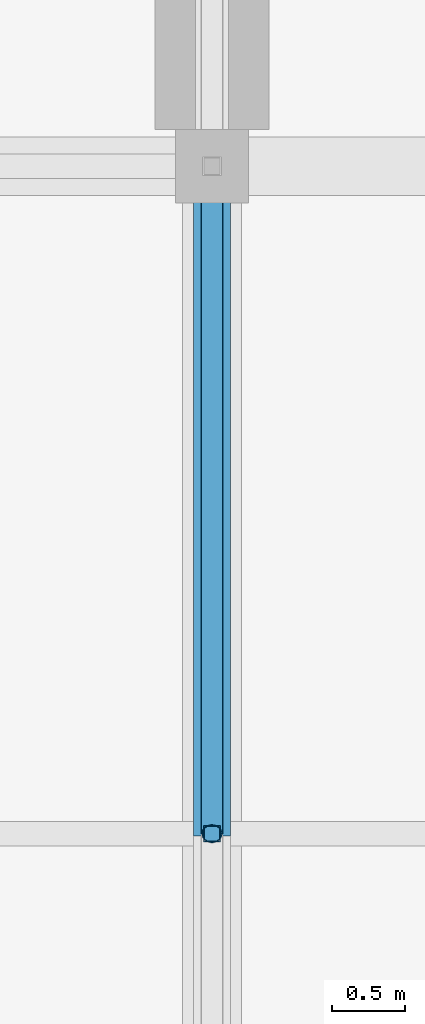
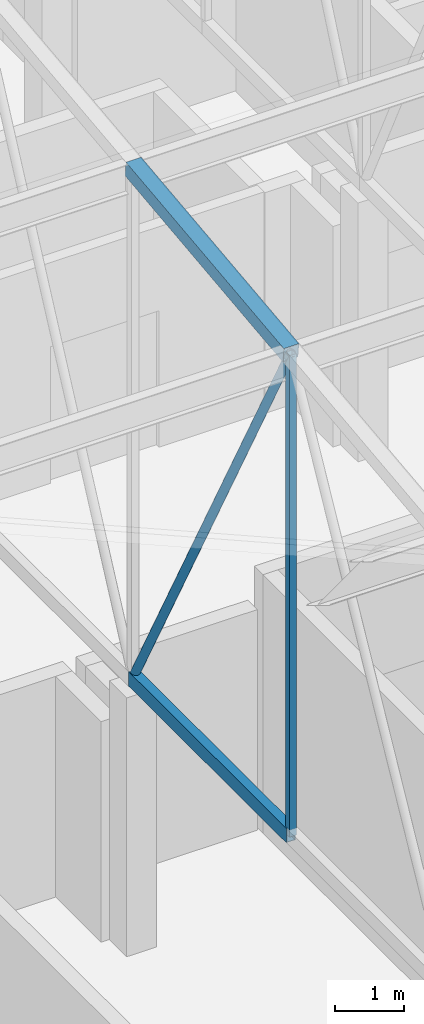
# One storey, part 116 of 500: 4 members.
"""IFC4 building model written with IfcOpenShell, lengths in metres."""

from ifc_helpers import new_model, si_unit, direction, frame, origin, origin_2d, place, context, subcontext, project, spatial, hollow_rectangle, hollow_circle, extrude, material, material_profile, profile_set, type_object, element, save


model = new_model("IFC4")

# Units and contexts
model_context = context("Model", 3, precision=1e-05, world=origin(), true_north=direction((0.0, 1.0)))
body_context = subcontext(model_context, "Body", "Model", "MODEL_VIEW")
ifc_project = project(units=[si_unit("LENGTHUNIT", "METRE"), si_unit("AREAUNIT", "SQUARE_METRE"), si_unit("VOLUMEUNIT", "CUBIC_METRE"), si_unit("PLANEANGLEUNIT", "RADIAN"), si_unit("MASSUNIT", "GRAM", prefix="KILO")], contexts=[model_context])

# Site, building, storey
site_placement = place(None, origin())
site = spatial("IfcSite", under=ifc_project, at=site_placement, CompositionType="ELEMENT")
building_placement = place(site_placement, origin())
building = spatial("IfcBuilding", under=site, at=building_placement, Name="Shirokan Park Arena", CompositionType="ELEMENT")
storey_placement = place(building_placement, frame((0.0, 0.0, 29.1201171875)))
storey = spatial("IfcBuildingStorey", under=building, at=storey_placement, Name="L06", CompositionType="ELEMENT", Elevation=29.1201171875)

# Members
ifc_material = material(Name="Steel ASTM A500 Grade C", Category="steel")
ifc_material_profile_1 = material_profile(ifc_material, hollow_rectangle(XDim=0.152099609375, YDim=0.25390625, WallThickness=0.009521484375, at=origin_2d()), Name="HSS254X152.4X9.5")
ifc_profile_set_1 = profile_set([ifc_material_profile_1], Name="Steel ASTM A500 Grade C")
member_type_1 = type_object("IfcMemberType", Name="Bottom chord HSS254X152.4X9.5", PredefinedType="CHORD", material=ifc_profile_set_1)
member_1_placement = place(storey_placement, frame((109.199951171875, 4.550048828125, 4.677001953125), z_axis=(0.0, 1.0, 0.0), x_axis=(-1.0, 0.0, 0.0)))
element("IfcMember", 1, at=member_1_placement, inside=storey, type_object=member_type_1, Name="Truss T13 bottom chord 4", PredefinedType="CHORD", context=body_context, shape_type="SweptSolid", body=[
    extrude(hollow_rectangle(XDim=0.152099609375, YDim=0.25390625, WallThickness=0.009521484375, at=origin_2d()), origin(), (0.0, 0.0, 1.0), 4.550048828125),
])
ifc_material_profile_2 = material_profile(ifc_material, hollow_rectangle(XDim=0.25390625, YDim=0.25390625, WallThickness=0.009521484375, at=origin_2d()), Name="HSS254X254X9.5")
ifc_profile_set_2 = profile_set([ifc_material_profile_2], Name="Steel ASTM A500 Grade C")
member_type_2 = type_object("IfcMemberType", Name="Top chord HSS254X254X9.5", PredefinedType="CHORD", material=ifc_profile_set_2)
member_2_placement = place(storey_placement, frame((109.199951171875, 4.550048828125, 13.142822265625), z_axis=(0.0, 0.993532328996, 0.113549598152), x_axis=(-1.0, 0.0, 0.0)))
element("IfcMember", 2, at=member_2_placement, inside=storey, type_object=member_type_2, Name="Truss T13 top chord 4", PredefinedType="CHORD", context=body_context, shape_type="SweptSolid", body=[
    extrude(hollow_rectangle(XDim=0.25390625, YDim=0.25390625, WallThickness=0.009521484375, at=origin_2d()), origin(), (0.0, 0.0, 1.0), 4.57958984375),
])
ifc_material_profile_3 = material_profile(ifc_material, hollow_circle(Radius=0.070556640625, WallThickness=0.006591796875, at=origin_2d()), Name="HSS141.3X6.6")
ifc_profile_set_3 = profile_set([ifc_material_profile_3], Name="Steel ASTM A500 Grade C")
member_type_3 = type_object("IfcMemberType", Name="Truss diagonal HSS141.3X6.6", PredefinedType="BRACE", material=ifc_profile_set_3)
member_3_placement = place(storey_placement, frame((109.199951171875, 4.550048828125, 13.142822265625), z_axis=(0.0, 0.473416507165, -0.880838697347), x_axis=(-1.0, 0.0, 0.0)))
element("IfcMember", 3, at=member_3_placement, inside=storey, type_object=member_type_3, Name="Truss T13 diagonal 4", PredefinedType="BRACE", context=body_context, shape_type="SweptSolid", body=[
    extrude(hollow_circle(Radius=0.070556640625, WallThickness=0.006591796875, at=origin_2d()), origin(), (0.0, 0.0, 1.0), 9.611083984375),
])
ifc_material_profile_4 = material_profile(ifc_material, hollow_rectangle(XDim=0.114013671875, YDim=0.114013671875, WallThickness=0.00634765625, at=origin_2d()), Name="HSS114.3X114.3X6.4")
ifc_profile_set_4 = profile_set([ifc_material_profile_4], Name="Steel ASTM A500 Grade C")
member_type_4 = type_object("IfcMemberType", Name="Truss post HSS114.3X114.3X6.4", PredefinedType="POST", material=ifc_profile_set_4)
member_4_placement = place(storey_placement, frame((109.199951171875, 4.550048828125, 4.677001953125), z_axis=(0.0, 0.0, 1.0), x_axis=(1.0, 0.0, 0.0)))
element("IfcMember", 4, at=member_4_placement, inside=storey, type_object=member_type_4, Name="Truss T13 post 4", PredefinedType="POST", context=body_context, shape_type="SweptSolid", body=[
    extrude(hollow_rectangle(XDim=0.114013671875, YDim=0.114013671875, WallThickness=0.00634765625, at=origin_2d()), origin(), (0.0, 0.0, 1.0), 8.4658203125),
])

save(model, "model.ifc")
